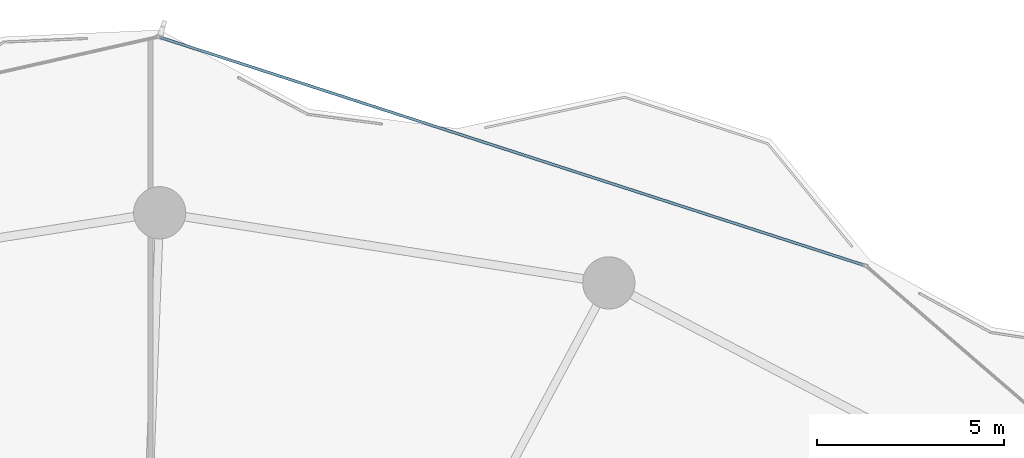
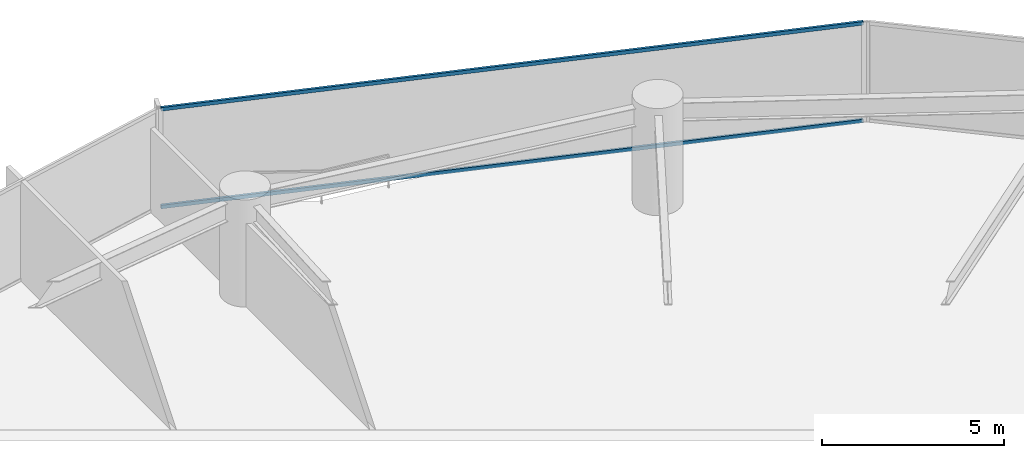
# One storey, part 22 of 33: 2 members, 1 element without a shape of its own.
"""IFC4 building model written with IfcOpenShell, lengths in metres."""

from ifc_helpers import new_model, si_unit, direction, frame, origin, origin_2d, place, context, subcontext, project, spatial, hollow_rectangle, extrude, material, layer, layer_set, material_profile, profile_set, type_object, element, aggregate, save


model = new_model("IFC4")

# Units and contexts
model_context = context("Model", 3, precision=1e-05, world=origin(), true_north=direction((0.0, 1.0)))
body_context = subcontext(model_context, "Body", "Model", "MODEL_VIEW")
ifc_project = project(units=[si_unit("LENGTHUNIT", "METRE"), si_unit("AREAUNIT", "SQUARE_METRE"), si_unit("VOLUMEUNIT", "CUBIC_METRE"), si_unit("PLANEANGLEUNIT", "RADIAN"), si_unit("MASSUNIT", "GRAM", prefix="KILO")], contexts=[model_context])

# Site, building, storey
site_placement = place(None, origin())
site = spatial("IfcSite", under=ifc_project, at=site_placement, CompositionType="ELEMENT")
building_placement = place(site_placement, origin())
building = spatial("IfcBuilding", under=site, at=building_placement, Name="Kazevale Care Tower and Concert Hall", CompositionType="ELEMENT")
storey_placement = place(building_placement, frame((0.0, 0.0, 49.199951171875)))
storey = spatial("IfcBuildingStorey", under=building, at=storey_placement, Name="L12", CompositionType="ELEMENT", Elevation=49.199951171875)

# Curtain wall, members
ifc_material_1 = material(Name="Aluminium 6063-T6 and Low-E Glass", Category="aluminium")
ifc_layer = layer(ifc_material_1, 0.179931640625)
ifc_layer_set = layer_set([ifc_layer], Name="Aluminium 6063-T6 and Low-E Glass")
curtain_wall_type = type_object("IfcCurtainWallType", Name="Convex Checkerboard Finned Curtain Wall CW-2", PredefinedType="NOTDEFINED", material=ifc_layer_set)
curtain_wall_placement = place(storey_placement, origin())
curtain_wall = element("IfcCurtainWall", 1, at=curtain_wall_placement, inside=storey, type_object=curtain_wall_type, Name="cw:L12:f16", PredefinedType="NOTDEFINED")
ifc_material_2 = material(Name="Aluminium 6063-T6", Category="aluminium")
ifc_material_profile = material_profile(ifc_material_2, hollow_rectangle(XDim=0.074951171875, YDim=0.1201171875, WallThickness=0.00390625, at=origin_2d()), Name="ALU75x120x4")
ifc_profile_set = profile_set([ifc_material_profile], Name="Aluminium 6063-T6")
member_type = type_object("IfcMemberType", Name="CW-2 Transom ALU75x120x4", PredefinedType="USERDEFINED", material=ifc_profile_set)
member_1_placement = place(storey_placement, frame((45.03515625, 67.34326171875, 0.03759765625), z_axis=(0.951413042648, -0.3079175576, 0.0), x_axis=(0.3079175576, 0.951413042648, 0.0)))
member_1 = element("IfcMember", 2, at=member_1_placement, type_object=member_type, Name="CW-2 transom 1.1", ObjectType="TRANSOM", PredefinedType="USERDEFINED", context=body_context, shape_type="SweptSolid", body=[
    extrude(hollow_rectangle(XDim=0.074951171875, YDim=0.1201171875, WallThickness=0.00390625, at=origin_2d()), origin(), (0.0, 0.0, 1.0), 19.77978515625),
])
member_2_placement = place(storey_placement, frame((45.03515625, 67.34326171875, 3.322509765625), z_axis=(0.951413042648, -0.3079175576, 0.0), x_axis=(0.3079175576, 0.951413042648, 0.0)))
member_2 = element("IfcMember", 3, at=member_2_placement, type_object=member_type, Name="CW-2 transom 1.2", ObjectType="TRANSOM", PredefinedType="USERDEFINED", context=body_context, shape_type="SweptSolid", body=[
    extrude(hollow_rectangle(XDim=0.074951171875, YDim=0.1201171875, WallThickness=0.00390625, at=origin_2d()), origin(), (0.0, 0.0, 1.0), 19.77978515625),
])
aggregate(curtain_wall, [member_1, member_2])

save(model, "model.ifc")
